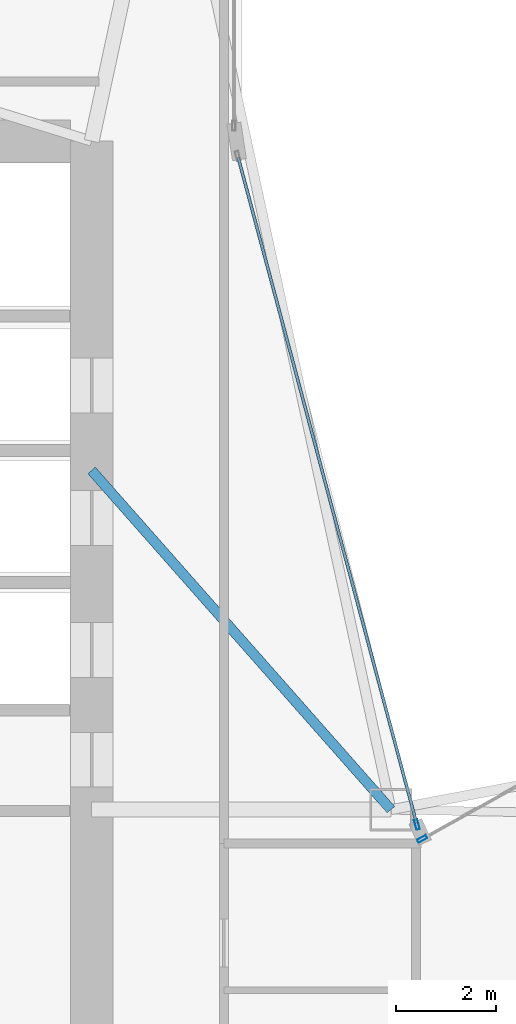
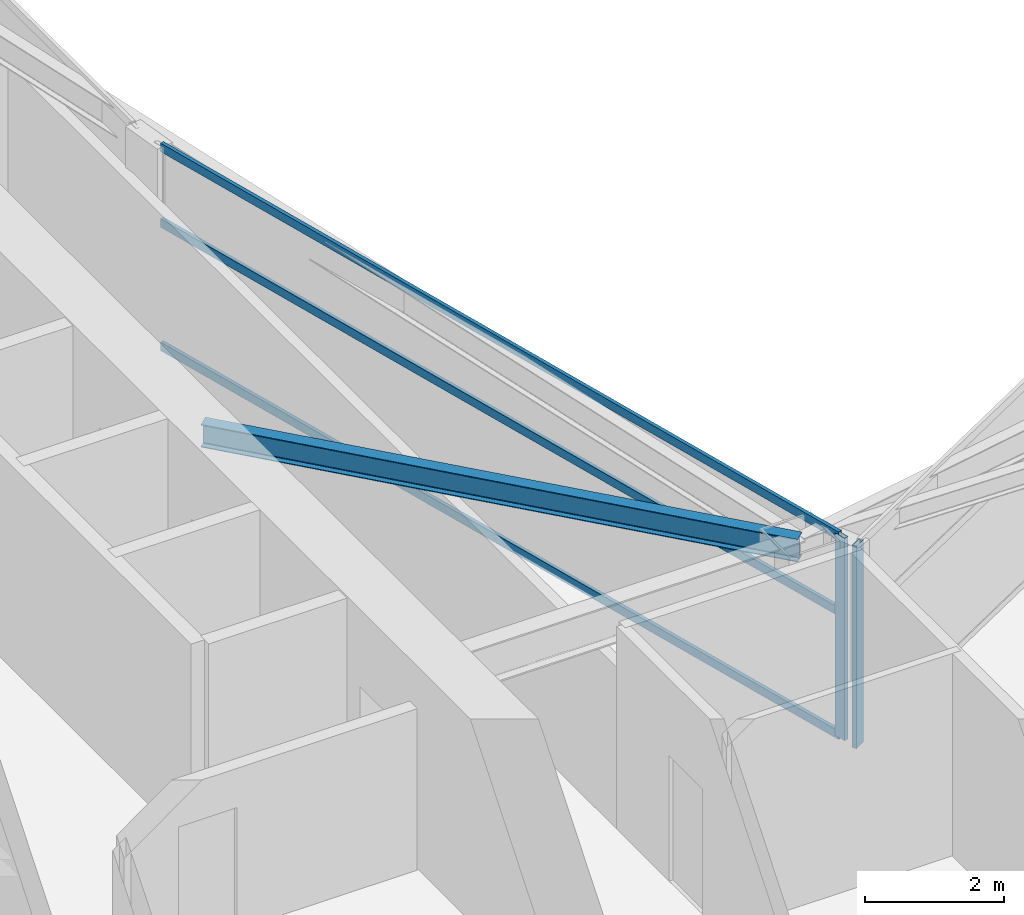
# One storey, part 10 of 28: 5 members, 1 beam, 2 elements without a shape of their own.
"""IFC4 building model written with IfcOpenShell, lengths in metres."""

from ifc_helpers import new_model, si_unit, direction, frame, origin, origin_2d, place, context, subcontext, project, spatial, hollow_rectangle, i_section, extrude, material, layer, layer_set, material_profile, profile_set, type_object, element, aggregate, save


model = new_model("IFC4")

# Units and contexts
model_context = context("Model", 3, precision=1e-05, world=origin(), true_north=direction((0.0, 1.0)))
body_context = subcontext(model_context, "Body", "Model", "MODEL_VIEW")
ifc_project = project(units=[si_unit("LENGTHUNIT", "METRE"), si_unit("AREAUNIT", "SQUARE_METRE"), si_unit("VOLUMEUNIT", "CUBIC_METRE"), si_unit("PLANEANGLEUNIT", "RADIAN"), si_unit("MASSUNIT", "GRAM", prefix="KILO")], contexts=[model_context])

# Site, building, storey
site_placement = place(None, origin())
site = spatial("IfcSite", under=ifc_project, at=site_placement, CompositionType="ELEMENT")
building_placement = place(site_placement, origin())
building = spatial("IfcBuilding", under=site, at=building_placement, Name="Calvorn Quay Hotel", CompositionType="ELEMENT")
storey_placement = place(building_placement, frame((0.0, 0.0, 97.39990234375)))
storey = spatial("IfcBuildingStorey", under=building, at=storey_placement, Name="L23", CompositionType="ELEMENT", Elevation=97.39990234375)

# Beam
ifc_material_1 = material(Name="Steel Q355B", Category="steel")
ifc_material_profile_1 = material_profile(ifc_material_1, i_section(OverallWidth=0.199951171875, OverallDepth=0.39990234375, WebThickness=0.008056640625, FlangeThickness=0.012939453125, FilletRadius=0.01611328125, at=origin_2d()), Name="HN400x200x8x13")
ifc_profile_set_1 = profile_set([ifc_material_profile_1], Name="Steel Q355B")
beam_type = type_object("IfcBeamType", Name="BM-JOIST-TYP", PredefinedType="JOIST", material=ifc_profile_set_1)
beam_placement = place(storey_placement, frame((15.0, 31.800048828125, 3.340087890625), z_axis=(0.661618965899, -0.749840212287, 0.0), x_axis=(0.749840212287, 0.661618965899, 0.0)))
element("IfcBeam", 1, at=beam_placement, inside=storey, type_object=beam_type, Name="Beam BJ-L23-C1", PredefinedType="JOIST", context=body_context, shape_type="SweptSolid", body=[
    extrude(i_section(OverallWidth=0.199951171875, OverallDepth=0.39990234375, WebThickness=0.008056640625, FlangeThickness=0.012939453125, FilletRadius=0.01611328125, at=origin_2d()), origin(), (0.0, 0.0, 1.0), 9.068603515625),
])

# Curtain wall, member
ifc_material_2 = material(Name="Pale Anodised Aluminium and Low-E Glass", Category="aluminium")
ifc_layer = layer(ifc_material_2, 0.219970703125)
ifc_layer_set = layer_set([ifc_layer], Name="CW-SYS-Z2")
curtain_wall_type = type_object("IfcCurtainWallType", Name="CW-SYS-Z2", PredefinedType="NOTDEFINED", material=ifc_layer_set)
curtain_wall_1_placement = place(storey_placement, origin())
curtain_wall_1 = element("IfcCurtainWall", 2, at=curtain_wall_1_placement, inside=storey, type_object=curtain_wall_type, Name="Inner Court Curtain Wall L23-NE1", PredefinedType="NOTDEFINED")
ifc_material_3 = material(Name="Pale Anodised Aluminium 6063-T6", Category="aluminium")
ifc_material_profile_2 = material_profile(ifc_material_3, hollow_rectangle(XDim=0.070068359375, YDim=0.199951171875, WallThickness=0.00390625, at=origin_2d()), Name="ALU-M200x70x4")
ifc_profile_set_2 = profile_set([ifc_material_profile_2], Name="Pale Anodised Aluminium 6063-T6")
member_type_1 = type_object("IfcMemberType", Name="CW-SYS-Z2-MUL", PredefinedType="MULLION", material=ifc_profile_set_2)
member_1_placement = place(storey_placement, frame((21.626220703125, 24.41455078125, 0.0), z_axis=(0.0, 0.0, 1.0), x_axis=(0.486858256224, -0.873480989116, 0.0)))
member_1 = element("IfcMember", 3, at=member_1_placement, type_object=member_type_1, Name="CW-L23-NE1 mullion 4", PredefinedType="MULLION", context=body_context, shape_type="SweptSolid", body=[
    extrude(hollow_rectangle(XDim=0.070068359375, YDim=0.199951171875, WallThickness=0.00390625, at=origin_2d()), origin(), (0.0, 0.0, 1.0), 3.56005859375),
])
aggregate(curtain_wall_1, [member_1])

# Curtain wall, members
curtain_wall_2_placement = place(storey_placement, origin())
curtain_wall_2 = element("IfcCurtainWall", 4, at=curtain_wall_2_placement, inside=storey, type_object=curtain_wall_type, Name="Inner Court Curtain Wall L23-IC1", PredefinedType="NOTDEFINED")
member_2_placement = place(storey_placement, frame((21.520263671875, 24.698974609375, 0.0), z_axis=(0.0, 0.0, 1.0), x_axis=(-0.96593652056, -0.25877913024, 0.0)))
member_2 = element("IfcMember", 5, at=member_2_placement, type_object=member_type_1, Name="CW-L23-IC1 mullion 1", PredefinedType="MULLION", context=body_context, shape_type="SweptSolid", body=[
    extrude(hollow_rectangle(XDim=0.070068359375, YDim=0.199951171875, WallThickness=0.00390625, at=origin_2d()), origin(), (0.0, 0.0, 1.0), 3.56005859375),
])
ifc_material_4 = material(Name="Pale Anodised Aluminium 6063-T6", Category="aluminium")
ifc_material_profile_3 = material_profile(ifc_material_4, hollow_rectangle(XDim=0.06005859375, YDim=0.14990234375, WallThickness=0.00341796875, at=origin_2d()), Name="ALU-T150x60x3.5")
ifc_profile_set_3 = profile_set([ifc_material_profile_3], Name="Pale Anodised Aluminium 6063-T6")
member_type_2 = type_object("IfcMemberType", Name="CW-SYS-Z2-TRN", PredefinedType="USERDEFINED", material=ifc_profile_set_3)
member_3_placement = place(storey_placement, frame((21.512451171875, 24.72802734375, 0.030029296875), z_axis=(-0.258781136883, 0.965935982969, 0.0), x_axis=(-0.965935982969, -0.258781136883, 0.0)))
member_3 = element("IfcMember", 6, at=member_3_placement, type_object=member_type_2, Name="CW-L23-IC1 transom 1.1", ObjectType="TRANSOM", PredefinedType="USERDEFINED", context=body_context, shape_type="SweptSolid", body=[
    extrude(hollow_rectangle(XDim=0.06005859375, YDim=0.14990234375, WallThickness=0.00341796875, at=origin_2d()), origin(), (0.0, 0.0, 1.0), 13.814453125),
])
member_4_placement = place(storey_placement, frame((21.512451171875, 24.72802734375, 2.2001953125), z_axis=(-0.258781136883, 0.965935982969, 0.0), x_axis=(-0.965935982969, -0.258781136883, 0.0)))
member_4 = element("IfcMember", 7, at=member_4_placement, type_object=member_type_2, Name="CW-L23-IC1 transom 1.2", ObjectType="TRANSOM", PredefinedType="USERDEFINED", context=body_context, shape_type="SweptSolid", body=[
    extrude(hollow_rectangle(XDim=0.06005859375, YDim=0.14990234375, WallThickness=0.00341796875, at=origin_2d()), origin(), (0.0, 0.0, 1.0), 13.814453125),
])
member_5_placement = place(storey_placement, frame((21.512451171875, 24.72802734375, 3.530029296875), z_axis=(-0.258781136883, 0.965935982969, 0.0), x_axis=(-0.965935982969, -0.258781136883, 0.0)))
member_5 = element("IfcMember", 8, at=member_5_placement, type_object=member_type_2, Name="CW-L23-IC1 transom 1.3", ObjectType="TRANSOM", PredefinedType="USERDEFINED", context=body_context, shape_type="SweptSolid", body=[
    extrude(hollow_rectangle(XDim=0.06005859375, YDim=0.14990234375, WallThickness=0.00341796875, at=origin_2d()), origin(), (0.0, 0.0, 1.0), 13.814453125),
])
aggregate(curtain_wall_2, [member_2, member_3, member_4, member_5])

save(model, "model.ifc")
